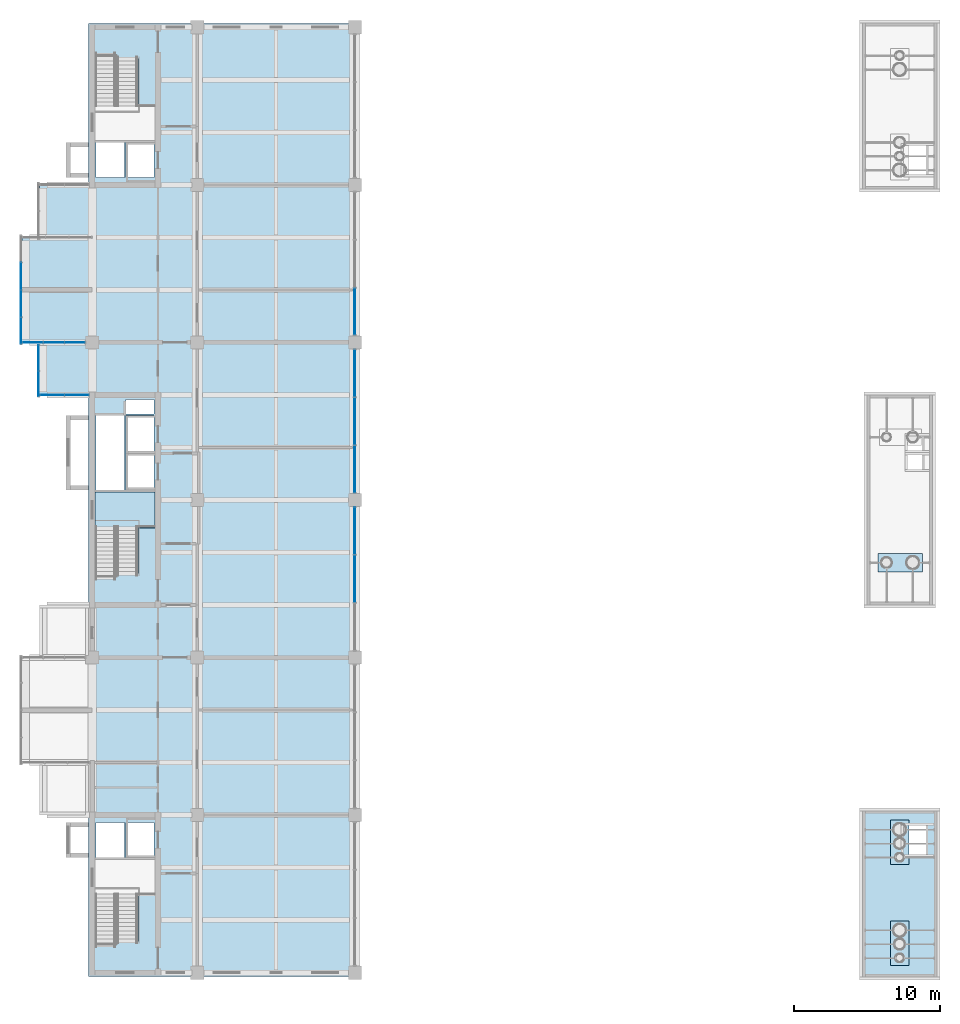
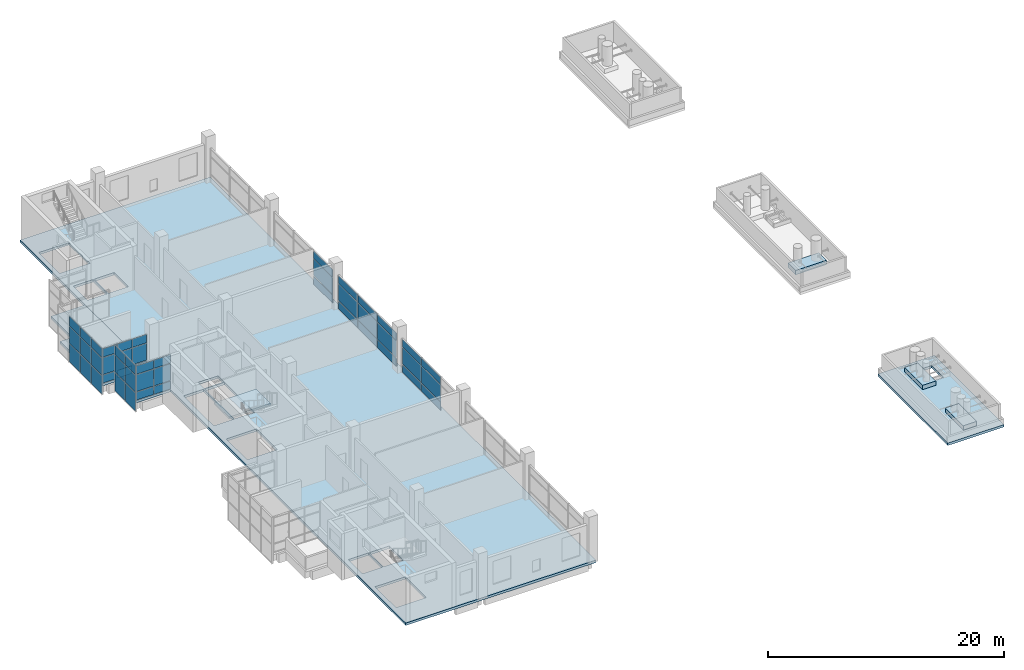
# One storey, part 12 of 22: 48 plates, 7 slabs, 8 elements without a shape of their own.
"""IFC4 building model written with IfcOpenShell, lengths in metres."""

import ifcopenshell
import ifcopenshell.guid

model = None  # the IFC model being written
_history = None  # IfcOwnerHistory: only IFC2X3 demands one
_inside = {}  # id of a spatial element -> (the spatial element, [elements in it])
_under = {}  # id of a project, library or spatial element -> (it, [spatial elements below it])
_declared = {}  # id of a project -> (the project, [libraries it declares])
_typed = {}  # id of a type object -> (the type object, [elements of that type])
_made_of = {}  # id of a material, layer set ... -> (it, [elements and type objects made of it])


def new_model(schema):
    """Start an empty IFC model of exactly this schema.

    Asked for "IFC4X3", IfcOpenShell would pick the latest addendum, in which some entities
    have other attributes; the version numbers below select the first issue.
    IFC2X3 requires an IfcOwnerHistory on every rooted entity: one is made here for all.
    """
    global model, _history
    if schema == "IFC4X3":
        model = ifcopenshell.file(schema_version=(4, 3, 0, 0))
    else:
        model = ifcopenshell.file(schema=schema)
    _inside.clear()
    _under.clear()
    _declared.clear()
    _typed.clear()
    _made_of.clear()
    _history = None
    if model.schema == "IFC2X3":
        org = make("IfcOrganization", Name="unknown")
        user = make(
            "IfcPersonAndOrganization",
            ThePerson=make("IfcPerson", FamilyName="unknown"),
            TheOrganization=org,
        )
        app = make(
            "IfcApplication",
            ApplicationDeveloper=org,
            Version="unknown",
            ApplicationFullName="unknown",
            ApplicationIdentifier="unknown",
        )
        _history = make(
            "IfcOwnerHistory",
            OwningUser=user,
            OwningApplication=app,
            ChangeAction="ADDED",
            CreationDate=0,
        )
    return model


def make(cls, **values):
    """One entity of the class cls with the attributes given. An attribute that is None is left unset."""
    return model.create_entity(
        cls, **{name: value for name, value in values.items() if value is not None}
    )


def rooted(cls, **values):
    """An entity with a GlobalId (a new one), such as an element, a storey or a relation."""
    return make(cls, GlobalId=ifcopenshell.guid.new(), OwnerHistory=_history, **values)


def si_unit(unit_type, name, prefix=None):
    """IfcSIUnit, for example si_unit("LENGTHUNIT", "METRE", prefix="MILLI")."""
    return make("IfcSIUnit", UnitType=unit_type, Prefix=prefix, Name=name)


def assignment(units):
    """IfcUnitAssignment: the units of a project."""
    return None if units is None else make("IfcUnitAssignment", Units=units)


def point(xyz):
    """IfcCartesianPoint."""
    return None if xyz is None else make("IfcCartesianPoint", Coordinates=xyz)


def direction(xyz):
    """IfcDirection."""
    return None if xyz is None else make("IfcDirection", DirectionRatios=xyz)


def frame(location, z_axis=None, x_axis=None):
    """IfcAxis2Placement3D, a coordinate frame: its origin and axes. An axis left out is left unset."""
    return make(
        "IfcAxis2Placement3D",
        Location=point(location),
        Axis=direction(z_axis),
        RefDirection=direction(x_axis),
    )


def frame_2d(location, x_axis=None):
    """IfcAxis2Placement2D, a coordinate frame in the plane: its origin and x axis."""
    return make(
        "IfcAxis2Placement2D", Location=point(location), RefDirection=direction(x_axis)
    )


def origin():
    """The frame at (0, 0, 0) with its axes left unset."""
    return frame((0.0, 0.0, 0.0))


def origin_2d():
    """The frame at (0, 0) in the plane with its x axis left unset."""
    return frame_2d((0.0, 0.0))


def place(relative_to, where):
    """IfcLocalPlacement: puts the frame where relative to a parent placement (None: the world)."""
    return make(
        "IfcLocalPlacement", PlacementRelTo=relative_to, RelativePlacement=where
    )


def context(
    kind, dimensions, precision=None, world=None, true_north=None, identifier=None
):
    """IfcGeometricRepresentationContext, for example the 3D "Model" context."""
    return make(
        "IfcGeometricRepresentationContext",
        ContextIdentifier=identifier,
        ContextType=kind,
        CoordinateSpaceDimension=dimensions,
        Precision=precision,
        WorldCoordinateSystem=world,
        TrueNorth=true_north,
    )


def subcontext(parent, identifier, kind, view, scale=None):
    """IfcGeometricRepresentationSubContext, for example "Body" below "Model"."""
    return make(
        "IfcGeometricRepresentationSubContext",
        ContextIdentifier=identifier,
        ContextType=kind,
        ParentContext=parent,
        TargetScale=scale,
        TargetView=view,
    )


def project(units=None, contexts=None):
    """IfcProject with its units and contexts."""
    return rooted(
        "IfcProject",
        Name="project",
        RepresentationContexts=contexts,
        UnitsInContext=assignment(units),
    )


def spatial(cls, under=None, at=None, **own):
    """A site, building, storey or space (cls), placed at a placement, below another one or the project."""
    s = rooted(cls, ObjectPlacement=at, **own)
    if under is not None:
        _under.setdefault(under.id(), (under, []))[1].append(s)
    return s


def polyline(points):
    """IfcPolyline through the points."""
    return make("IfcPolyline", Points=[point(p) for p in points])


def profile(cls, at=None, kind="AREA", **sizes):
    """A parametric profile (cls). Its sizes go by their IFC names, for example OverallWidth=200.0."""
    return make(cls, ProfileType=kind, Position=at, **sizes)


def rectangle(**sizes):
    """IfcRectangleProfileDef."""
    return profile("IfcRectangleProfileDef", **sizes)


def outline(outer, holes=None, kind="AREA"):
    """IfcArbitraryClosedProfileDef: a profile drawn as a closed curve; with holes, ...WithVoids."""
    if holes is None:
        return make("IfcArbitraryClosedProfileDef", ProfileType=kind, OuterCurve=outer)
    return make(
        "IfcArbitraryProfileDefWithVoids",
        ProfileType=kind,
        OuterCurve=outer,
        InnerCurves=holes,
    )


def extrude(swept, where, along, depth):
    """IfcExtrudedAreaSolid: the profile swept, set in the frame where, extruded along a direction by depth."""
    return make(
        "IfcExtrudedAreaSolid",
        SweptArea=swept,
        Position=where,
        ExtrudedDirection=direction(along),
        Depth=depth,
    )


def shape(context_of_items, identifier, shape_type, items):
    """IfcShapeRepresentation: the items that make up one representation, for example the "Body"."""
    return make(
        "IfcShapeRepresentation",
        ContextOfItems=context_of_items,
        RepresentationIdentifier=identifier,
        RepresentationType=shape_type,
        Items=items,
    )


def material(Name=None, Category=None):
    """IfcMaterial."""
    return make("IfcMaterial", Name=Name, Category=Category)


def layer(
    of_material, thickness, ventilated=None, Name=None, Category=None, Priority=None
):
    """IfcMaterialLayer: one layer of a wall or slab, of a material (None: an air gap)."""
    return make(
        "IfcMaterialLayer",
        Material=of_material,
        LayerThickness=thickness,
        IsVentilated=ventilated,
        Name=Name,
        Category=Category,
        Priority=Priority,
    )


def layer_set(layers, Name=None):
    """IfcMaterialLayerSet."""
    return make("IfcMaterialLayerSet", MaterialLayers=layers, LayerSetName=Name)


def made_of(thing, what):
    """Note that an element or type object is made of a material, layer set ...; save() writes the relation."""
    if what is not None:
        _made_of.setdefault(what.id(), (what, []))[1].append(thing)
    return thing


def type_object(cls, material=None, **own):
    """A type object (cls), such as IfcWallType, which elements share."""
    return made_of(rooted(cls, **own), material)


def element(
    cls,
    number,
    at=None,
    inside=None,
    cuts=None,
    type_object=None,
    material=None,
    context=None,
    identifier="Body",
    shape_type=None,
    held_by="IfcProductDefinitionShape",
    body=None,
    shapes=None,
    **own,
):
    """One element of the class cls, such as IfcWall. Its Tag is "e" and its number.

    at: its placement. inside: the storey or other place that contains it. cuts: it is an
    opening in that element (IfcRelVoidsElement). A single representation is given by context,
    identifier, shape_type and body (its items); several are given by shapes. held_by: the class
    of the entity that holds the representations. save() writes the other relations.
    """
    e = rooted(cls, Tag="e%d" % number, ObjectPlacement=at, **own)
    if body is not None:
        shapes = [shape(context, identifier, shape_type, body)]
    if shapes is not None:
        e.Representation = make(held_by, Representations=shapes)
    if inside is not None:
        _inside.setdefault(inside.id(), (inside, []))[1].append(e)
    if cuts is not None:
        rooted(
            "IfcRelVoidsElement", RelatingBuildingElement=cuts, RelatedOpeningElement=e
        )
    if type_object is not None:
        _typed.setdefault(type_object.id(), (type_object, []))[1].append(e)
    return made_of(e, material)


def aggregate(whole, parts):
    """IfcRelAggregates: a whole, such as a stair, and the parts it consists of."""
    return rooted("IfcRelAggregates", RelatingObject=whole, RelatedObjects=parts)


def save(model, path):
    """Write the relations noted so far, then the file.

    IfcRelAggregates (storeys below a building ...), IfcRelContainedInSpatialStructure (elements
    in a storey), IfcRelDefinesByType, IfcRelAssociatesMaterial and IfcRelDeclares: one each for
    every whole, place, type object, material and project.
    """
    for whole, parts in _under.values():
        aggregate(whole, parts)
    for where, things in _inside.values():
        rooted(
            "IfcRelContainedInSpatialStructure",
            RelatedElements=things,
            RelatingStructure=where,
        )
    for kind, things in _typed.values():
        rooted("IfcRelDefinesByType", RelatedObjects=things, RelatingType=kind)
    for what, things in _made_of.values():
        rooted("IfcRelAssociatesMaterial", RelatedObjects=things, RelatingMaterial=what)
    for by, libraries in _declared.values():
        rooted("IfcRelDeclares", RelatingContext=by, RelatedDefinitions=libraries)
    model.write(path)


model = new_model("IFC4")

# Units and contexts
model_context = context("Model", 3, precision=1e-05, world=origin(), true_north=direction((0.0, 1.0)))
body_context = subcontext(model_context, "Body", "Model", "MODEL_VIEW")
ifc_project = project(units=[si_unit("LENGTHUNIT", "METRE"), si_unit("AREAUNIT", "SQUARE_METRE"), si_unit("VOLUMEUNIT", "CUBIC_METRE"), si_unit("PLANEANGLEUNIT", "RADIAN"), si_unit("MASSUNIT", "GRAM", prefix="KILO")], contexts=[model_context])

# Site, building, storey
site_placement = place(None, origin())
site = spatial("IfcSite", under=ifc_project, at=site_placement, CompositionType="ELEMENT")
building_placement = place(site_placement, origin())
building = spatial("IfcBuilding", under=site, at=building_placement, Name="Basin Gate Institute", CompositionType="ELEMENT")
storey_placement = place(building_placement, frame((0.0, 0.0, 51.0)))
storey = spatial("IfcBuildingStorey", under=building, at=storey_placement, Name="L10", CompositionType="ELEMENT", Elevation=51.0)

# Slabs
ifc_material_1 = material(Name="Concrete 40 MPa", Category="concrete")
ifc_layer_1 = layer(ifc_material_1, 0.449951171875)
ifc_layer_set_1 = layer_set([ifc_layer_1], Name="Concrete 40 MPa")
slab_type_1 = type_object("IfcSlabType", Name="Exhaust pipe plinth PL4 R60", PredefinedType="ROOF", material=ifc_layer_set_1)
slab_1_placement = place(storey_placement, frame((0.0, 0.0, 0.25)))
element("IfcSlab", 1, at=slab_1_placement, inside=storey, type_object=slab_type_1, material=ifc_layer_set_1, Name="Exhaust pipe plinth PL4 ES 1", PredefinedType="ROOF", context=body_context, shape_type="SweptSolid", body=[
    extrude(outline(polyline([(115.89990234375, 35.60009765625), (117.199951171875, 35.60009765625), (117.199951171875, 38.64990234375), (115.89990234375, 38.64990234375), (115.89990234375, 35.60009765625)])), origin(), (0.0, 0.0, 1.0), 0.449951171875),
])
slab_2_placement = place(storey_placement, frame((0.0, 0.0, 0.25)))
element("IfcSlab", 2, at=slab_2_placement, inside=storey, type_object=slab_type_1, material=ifc_layer_set_1, Name="Exhaust pipe plinth PL4 ES 2", PredefinedType="ROOF", context=body_context, shape_type="SweptSolid", body=[
    extrude(outline(polyline([(115.89990234375, 42.5), (117.199951171875, 42.5), (117.199951171875, 45.550048828125), (115.89990234375, 45.550048828125), (115.89990234375, 42.5)])), origin(), (0.0, 0.0, 1.0), 0.449951171875),
])
slab_3_placement = place(storey_placement, frame((0.0, 0.0, 0.25)))
element("IfcSlab", 3, at=slab_3_placement, inside=storey, type_object=slab_type_1, material=ifc_layer_set_1, Name="Exhaust pipe plinth PL4 EM 1", PredefinedType="ROOF", context=body_context, shape_type="SweptSolid", body=[
    extrude(outline(polyline([(115.074951171875, 62.550048828125), (118.10009765625, 62.550048828125), (118.10009765625, 63.85009765625), (115.074951171875, 63.85009765625), (115.074951171875, 62.550048828125)])), origin(), (0.0, 0.0, 1.0), 0.449951171875),
])
ifc_material_2 = material(Name="Concrete 40 MPa", Category="concrete")
ifc_layer_2 = layer(ifc_material_2, 0.25)
ifc_layer_set_2 = layer_set([ifc_layer_2], Name="Concrete 40 MPa")
slab_type_2 = type_object("IfcSlabType", Name="Slab SL4 R120", PredefinedType="FLOOR", material=ifc_layer_set_2)
slab_4_placement = place(storey_placement, frame((0.0, 0.0, -0.25)))
element("IfcSlab", 4, at=slab_4_placement, inside=storey, type_object=slab_type_2, material=ifc_layer_set_2, Name="SLAB/L10/W", PredefinedType="FLOOR", context=body_context, shape_type="SweptSolid", body=[
    extrude(outline(polyline([(60.949951171875, 34.85009765625), (79.550048828125, 34.85009765625), (79.550048828125, 100.14990234375), (60.949951171875, 100.14990234375), (60.949951171875, 34.85009765625)]), holes=[polyline([(61.39990234375, 37.25), (64.35009765625, 37.25), (64.35009765625, 40.7900390625), (61.39990234375, 40.7900390625), (61.39990234375, 37.25)]), polyline([(61.39990234375, 62.449951171875), (64.35009765625, 62.449951171875), (64.35009765625, 65.989990234375), (61.39990234375, 65.989990234375), (61.39990234375, 62.449951171875)]), polyline([(61.39990234375, 94.2099609375), (64.35009765625, 94.2099609375), (64.35009765625, 97.75), (61.39990234375, 97.75), (61.39990234375, 94.2099609375)]), polyline([(61.449951171875, 43.0), (63.39990234375, 43.0), (63.39990234375, 45.39990234375), (61.449951171875, 45.39990234375), (61.449951171875, 43.0)]), polyline([(61.449951171875, 68.199951171875), (63.39990234375, 68.199951171875), (63.39990234375, 73.300048828125), (61.449951171875, 73.300048828125), (61.449951171875, 68.199951171875)]), polyline([(63.5, 73.39990234375), (65.449951171875, 73.39990234375), (65.449951171875, 74.39990234375), (63.5, 74.39990234375), (63.5, 73.39990234375)]), polyline([(61.449951171875, 89.60009765625), (63.39990234375, 89.60009765625), (63.39990234375, 92.0), (61.449951171875, 92.0), (61.449951171875, 89.60009765625)]), polyline([(63.5, 43.0), (65.449951171875, 43.0), (65.449951171875, 45.39990234375), (63.5, 45.39990234375), (63.5, 43.0)]), polyline([(65.449951171875, 68.199951171875), (63.5, 68.199951171875), (63.5, 73.300048828125), (65.449951171875, 73.300048828125), (65.449951171875, 68.199951171875)]), polyline([(63.5, 89.60009765625), (65.449951171875, 89.60009765625), (65.449951171875, 92.0), (63.5, 92.0), (63.5, 89.60009765625)])]), origin(), (0.0, 0.0, 1.0), 0.25),
])
slab_5_placement = place(storey_placement, frame((0.0, 0.0, -0.25)))
element("IfcSlab", 5, at=slab_5_placement, inside=storey, type_object=slab_type_2, material=ifc_layer_set_2, Name="SLAB/L10/WK21", PredefinedType="FLOOR", context=body_context, shape_type="SweptSolid", body=[
    extrude(outline(polyline([(57.60009765625, 74.699951171875), (57.60009765625, 78.300048828125), (56.39990234375, 78.300048828125), (56.39990234375, 85.5), (57.60009765625, 85.5), (57.60009765625, 89.10009765625), (60.949951171875, 89.10009765625), (60.949951171875, 74.699951171875), (57.60009765625, 74.699951171875)])), origin(), (0.0, 0.0, 1.0), 0.25),
])

# Curtain wall, plates
ifc_material_3 = material(Name="Aluminium-framed glazing", Category="aluminium")
ifc_layer_3 = layer(ifc_material_3, 0.199951171875)
ifc_layer_set_3 = layer_set([ifc_layer_3], Name="Atrium curtain wall CW2")
curtain_wall_type_1 = type_object("IfcCurtainWallType", Name="Atrium curtain wall CW2", PredefinedType="NOTDEFINED", material=ifc_layer_set_3)
curtain_wall_1_placement = place(storey_placement, origin())
curtain_wall_1 = element("IfcCurtainWall", 6, at=curtain_wall_1_placement, inside=storey, type_object=curtain_wall_type_1, material=ifc_layer_set_3, Name="Atrium curtain wall W wing atrium bay 3 L10", PredefinedType="NOTDEFINED")
ifc_material_4 = material(Name="Aluminium insulated spandrel panel", Category="aluminium")
ifc_layer_4 = layer(ifc_material_4, 0.050048828125)
ifc_layer_set_4 = layer_set([ifc_layer_4], Name="Spandrel panel PN2")
plate_type_1 = type_object("IfcPlateType", Name="Spandrel panel PN2", PredefinedType="CURTAIN_PANEL", material=ifc_layer_set_4)
plate_1_placement = place(storey_placement, frame((79.199951171875, 62.10009765625, 0.06005859375), z_axis=(0.0, 0.0, 1.0), x_axis=(0.0, 1.0, 0.0)))
plate_1 = element("IfcPlate", 7, at=plate_1_placement, type_object=plate_type_1, material=ifc_layer_set_4, Name="CW2 spandrel panel 2.1", PredefinedType="CURTAIN_PANEL", context=body_context, shape_type="SweptSolid", body=[
    extrude(rectangle(XDim=3.239990234375, YDim=0.050048828125, at=origin_2d()), origin(), (0.0, 0.0, 1.0), 0.81005859375),
])
plate_2_placement = place(storey_placement, frame((79.199951171875, 62.10009765625, 2.72998046875), z_axis=(0.0, 0.0, 1.0), x_axis=(0.0, 1.0, 0.0)))
plate_2 = element("IfcPlate", 8, at=plate_2_placement, type_object=plate_type_1, material=ifc_layer_set_4, Name="CW2 spandrel panel 2.3", PredefinedType="CURTAIN_PANEL", context=body_context, shape_type="SweptSolid", body=[
    extrude(rectangle(XDim=3.239990234375, YDim=0.050048828125, at=origin_2d()), origin(), (0.0, 0.0, 1.0), 0.760009765625),
])
plate_3_placement = place(storey_placement, frame((79.199951171875, 65.385009765625, 0.06005859375), z_axis=(0.0, 0.0, 1.0), x_axis=(0.0, 1.0, 0.0)))
plate_3 = element("IfcPlate", 9, at=plate_3_placement, type_object=plate_type_1, material=ifc_layer_set_4, Name="CW2 spandrel panel 3.1", PredefinedType="CURTAIN_PANEL", context=body_context, shape_type="SweptSolid", body=[
    extrude(rectangle(XDim=3.2099609375, YDim=0.050048828125, at=origin_2d()), origin(), (0.0, 0.0, 1.0), 0.81005859375),
])
plate_4_placement = place(storey_placement, frame((79.199951171875, 65.385009765625, 2.72998046875), z_axis=(0.0, 0.0, 1.0), x_axis=(0.0, 1.0, 0.0)))
plate_4 = element("IfcPlate", 10, at=plate_4_placement, type_object=plate_type_1, material=ifc_layer_set_4, Name="CW2 spandrel panel 3.3", PredefinedType="CURTAIN_PANEL", context=body_context, shape_type="SweptSolid", body=[
    extrude(rectangle(XDim=3.2099609375, YDim=0.050048828125, at=origin_2d()), origin(), (0.0, 0.0, 1.0), 0.760009765625),
])

curtain_wall_2_placement = place(storey_placement, origin())
curtain_wall_2 = element("IfcCurtainWall", 11, at=curtain_wall_2_placement, inside=storey, type_object=curtain_wall_type_1, material=ifc_layer_set_3, Name="Atrium curtain wall W wing atrium bay 4 L10", PredefinedType="NOTDEFINED")
plate_5_placement = place(storey_placement, frame((79.199951171875, 69.614990234375, 0.06005859375), z_axis=(0.0, 0.0, 1.0), x_axis=(0.0, 1.0, 0.0)))
plate_5 = element("IfcPlate", 12, at=plate_5_placement, type_object=plate_type_1, material=ifc_layer_set_4, Name="CW2 spandrel panel 1.1", PredefinedType="CURTAIN_PANEL", context=body_context, shape_type="SweptSolid", body=[
    extrude(rectangle(XDim=3.2099609375, YDim=0.050048828125, at=origin_2d()), origin(), (0.0, 0.0, 1.0), 0.81005859375),
])
plate_6_placement = place(storey_placement, frame((79.199951171875, 69.614990234375, 2.72998046875), z_axis=(0.0, 0.0, 1.0), x_axis=(0.0, 1.0, 0.0)))
plate_6 = element("IfcPlate", 13, at=plate_6_placement, type_object=plate_type_1, material=ifc_layer_set_4, Name="CW2 spandrel panel 1.3", PredefinedType="CURTAIN_PANEL", context=body_context, shape_type="SweptSolid", body=[
    extrude(rectangle(XDim=3.2099609375, YDim=0.050048828125, at=origin_2d()), origin(), (0.0, 0.0, 1.0), 0.760009765625),
])
plate_7_placement = place(storey_placement, frame((79.199951171875, 72.89990234375, 0.06005859375), z_axis=(0.0, 0.0, 1.0), x_axis=(0.0, 1.0, 0.0)))
plate_7 = element("IfcPlate", 14, at=plate_7_placement, type_object=plate_type_1, material=ifc_layer_set_4, Name="CW2 spandrel panel 2.1", PredefinedType="CURTAIN_PANEL", context=body_context, shape_type="SweptSolid", body=[
    extrude(rectangle(XDim=3.239990234375, YDim=0.050048828125, at=origin_2d()), origin(), (0.0, 0.0, 1.0), 0.81005859375),
])
plate_8_placement = place(storey_placement, frame((79.199951171875, 72.89990234375, 2.72998046875), z_axis=(0.0, 0.0, 1.0), x_axis=(0.0, 1.0, 0.0)))
plate_8 = element("IfcPlate", 15, at=plate_8_placement, type_object=plate_type_1, material=ifc_layer_set_4, Name="CW2 spandrel panel 2.3", PredefinedType="CURTAIN_PANEL", context=body_context, shape_type="SweptSolid", body=[
    extrude(rectangle(XDim=3.239990234375, YDim=0.050048828125, at=origin_2d()), origin(), (0.0, 0.0, 1.0), 0.760009765625),
])
plate_9_placement = place(storey_placement, frame((79.199951171875, 76.18505859375, 0.06005859375), z_axis=(0.0, 0.0, 1.0), x_axis=(0.0, 1.0, 0.0)))
plate_9 = element("IfcPlate", 16, at=plate_9_placement, type_object=plate_type_1, material=ifc_layer_set_4, Name="CW2 spandrel panel 3.1", PredefinedType="CURTAIN_PANEL", context=body_context, shape_type="SweptSolid", body=[
    extrude(rectangle(XDim=3.2099609375, YDim=0.050048828125, at=origin_2d()), origin(), (0.0, 0.0, 1.0), 0.81005859375),
])
plate_10_placement = place(storey_placement, frame((79.199951171875, 76.18505859375, 2.72998046875), z_axis=(0.0, 0.0, 1.0), x_axis=(0.0, 1.0, 0.0)))
plate_10 = element("IfcPlate", 17, at=plate_10_placement, type_object=plate_type_1, material=ifc_layer_set_4, Name="CW2 spandrel panel 3.3", PredefinedType="CURTAIN_PANEL", context=body_context, shape_type="SweptSolid", body=[
    extrude(rectangle(XDim=3.2099609375, YDim=0.050048828125, at=origin_2d()), origin(), (0.0, 0.0, 1.0), 0.760009765625),
])

curtain_wall_3_placement = place(storey_placement, origin())
curtain_wall_3 = element("IfcCurtainWall", 18, at=curtain_wall_3_placement, inside=storey, type_object=curtain_wall_type_1, material=ifc_layer_set_3, Name="Atrium curtain wall W wing atrium bay 5 L10", PredefinedType="NOTDEFINED")
plate_11_placement = place(storey_placement, frame((79.199951171875, 80.4150390625, 0.06005859375), z_axis=(0.0, 0.0, 1.0), x_axis=(0.0, 1.0, 0.0)))
plate_11 = element("IfcPlate", 19, at=plate_11_placement, type_object=plate_type_1, material=ifc_layer_set_4, Name="CW2 spandrel panel 1.1", PredefinedType="CURTAIN_PANEL", context=body_context, shape_type="SweptSolid", body=[
    extrude(rectangle(XDim=3.2099609375, YDim=0.050048828125, at=origin_2d()), origin(), (0.0, 0.0, 1.0), 0.81005859375),
])
plate_12_placement = place(storey_placement, frame((79.199951171875, 80.4150390625, 2.72998046875), z_axis=(0.0, 0.0, 1.0), x_axis=(0.0, 1.0, 0.0)))
plate_12 = element("IfcPlate", 20, at=plate_12_placement, type_object=plate_type_1, material=ifc_layer_set_4, Name="CW2 spandrel panel 1.3", PredefinedType="CURTAIN_PANEL", context=body_context, shape_type="SweptSolid", body=[
    extrude(rectangle(XDim=3.2099609375, YDim=0.050048828125, at=origin_2d()), origin(), (0.0, 0.0, 1.0), 0.760009765625),
])

ifc_material_5 = material(Name="Aluminium-framed glazing", Category="aluminium")
ifc_layer_5 = layer(ifc_material_5, 0.14990234375)
ifc_layer_set_5 = layer_set([ifc_layer_5], Name="Capsule front curtain wall CW1")
curtain_wall_type_2 = type_object("IfcCurtainWallType", Name="Capsule front curtain wall CW1", PredefinedType="NOTDEFINED", material=ifc_layer_set_5)
curtain_wall_4_placement = place(storey_placement, origin())
curtain_wall_4 = element("IfcCurtainWall", 21, at=curtain_wall_4_placement, inside=storey, type_object=curtain_wall_type_2, material=ifc_layer_set_5, Name="Capsule front curtain wall W wing capsule end L10 line 12", PredefinedType="NOTDEFINED")
plate_13_placement = place(storey_placement, frame((58.46240234375, 74.699951171875, 0.06005859375), z_axis=(0.0, 0.0, 1.0), x_axis=(1.0, 0.0, 0.0)))
plate_13 = element("IfcPlate", 22, at=plate_13_placement, type_object=plate_type_1, material=ifc_layer_set_4, Name="CW1 spandrel panel 1.1", PredefinedType="CURTAIN_PANEL", context=body_context, shape_type="SweptSolid", body=[
    extrude(rectangle(XDim=1.625, YDim=0.050048828125, at=origin_2d()), origin(), (0.0, 0.0, 1.0), 0.81005859375),
])
plate_14_placement = place(storey_placement, frame((60.137451171875, 74.699951171875, 0.06005859375), z_axis=(0.0, 0.0, 1.0), x_axis=(1.0, 0.0, 0.0)))
plate_14 = element("IfcPlate", 23, at=plate_14_placement, type_object=plate_type_1, material=ifc_layer_set_4, Name="CW1 spandrel panel 2.1", PredefinedType="CURTAIN_PANEL", context=body_context, shape_type="SweptSolid", body=[
    extrude(rectangle(XDim=1.625, YDim=0.050048828125, at=origin_2d()), origin(), (0.0, 0.0, 1.0), 0.81005859375),
])

curtain_wall_5_placement = place(storey_placement, origin())
curtain_wall_5 = element("IfcCurtainWall", 24, at=curtain_wall_5_placement, inside=storey, type_object=curtain_wall_type_2, material=ifc_layer_set_5, Name="Capsule front curtain wall W wing capsule end L10 line 13", PredefinedType="NOTDEFINED")
plate_15_placement = place(storey_placement, frame((57.137451171875, 78.300048828125, 0.06005859375), z_axis=(0.0, 0.0, 1.0), x_axis=(1.0, 0.0, 0.0)))
plate_15 = element("IfcPlate", 25, at=plate_15_placement, type_object=plate_type_1, material=ifc_layer_set_4, Name="CW1 spandrel panel 1.1", PredefinedType="CURTAIN_PANEL", context=body_context, shape_type="SweptSolid", body=[
    extrude(rectangle(XDim=1.375, YDim=0.050048828125, at=origin_2d()), origin(), (0.0, 0.0, 1.0), 0.81005859375),
])
plate_16_placement = place(storey_placement, frame((58.574951171875, 78.300048828125, 0.06005859375), z_axis=(0.0, 0.0, 1.0), x_axis=(1.0, 0.0, 0.0)))
plate_16 = element("IfcPlate", 26, at=plate_16_placement, type_object=plate_type_1, material=ifc_layer_set_4, Name="CW1 spandrel panel 2.1", PredefinedType="CURTAIN_PANEL", context=body_context, shape_type="SweptSolid", body=[
    extrude(rectangle(XDim=1.39990234375, YDim=0.050048828125, at=origin_2d()), origin(), (0.0, 0.0, 1.0), 0.81005859375),
])
plate_17_placement = place(storey_placement, frame((60.012451171875, 78.300048828125, 0.06005859375), z_axis=(0.0, 0.0, 1.0), x_axis=(1.0, 0.0, 0.0)))
plate_17 = element("IfcPlate", 27, at=plate_17_placement, type_object=plate_type_1, material=ifc_layer_set_4, Name="CW1 spandrel panel 3.1", PredefinedType="CURTAIN_PANEL", context=body_context, shape_type="SweptSolid", body=[
    extrude(rectangle(XDim=1.375, YDim=0.050048828125, at=origin_2d()), origin(), (0.0, 0.0, 1.0), 0.81005859375),
])

curtain_wall_6_placement = place(storey_placement, origin())
curtain_wall_6 = element("IfcCurtainWall", 28, at=curtain_wall_6_placement, inside=storey, type_object=curtain_wall_type_2, material=ifc_layer_set_5, Name="Capsule front curtain wall W wing capsule 2 L10 front 1", PredefinedType="NOTDEFINED")
plate_18_placement = place(storey_placement, frame((57.52490234375, 75.46240234375, -0.990234375), z_axis=(0.0, 0.0, 1.0), x_axis=(0.0, 1.0, 0.0)))
plate_18 = element("IfcPlate", 29, at=plate_18_placement, type_object=plate_type_1, material=ifc_layer_set_4, Name="CW1 spandrel panel 1.1", PredefinedType="CURTAIN_PANEL", context=body_context, shape_type="SweptSolid", body=[
    extrude(rectangle(XDim=1.72509765625, YDim=0.050048828125, at=origin_2d()), origin(), (0.0, 0.0, 1.0), 1.860107421875),
])
plate_19_placement = place(storey_placement, frame((57.52490234375, 77.237548828125, -0.990234375), z_axis=(0.0, 0.0, 1.0), x_axis=(0.0, 1.0, 0.0)))
plate_19 = element("IfcPlate", 30, at=plate_19_placement, type_object=plate_type_1, material=ifc_layer_set_4, Name="CW1 spandrel panel 2.1", PredefinedType="CURTAIN_PANEL", context=body_context, shape_type="SweptSolid", body=[
    extrude(rectangle(XDim=1.72509765625, YDim=0.050048828125, at=origin_2d()), origin(), (0.0, 0.0, 1.0), 1.860107421875),
])

curtain_wall_7_placement = place(storey_placement, origin())
curtain_wall_7 = element("IfcCurtainWall", 31, at=curtain_wall_7_placement, inside=storey, type_object=curtain_wall_type_2, material=ifc_layer_set_5, Name="Capsule front curtain wall W wing capsule 2 L10 front 2", PredefinedType="NOTDEFINED")
plate_20_placement = place(storey_placement, frame((56.324951171875, 79.10009765625, -0.990234375), z_axis=(0.0, 0.0, 1.0), x_axis=(0.0, 1.0, 0.0)))
plate_20 = element("IfcPlate", 32, at=plate_20_placement, type_object=plate_type_1, material=ifc_layer_set_4, Name="CW1 spandrel panel 1.1", PredefinedType="CURTAIN_PANEL", context=body_context, shape_type="SweptSolid", body=[
    extrude(rectangle(XDim=1.800048828125, YDim=0.050048828125, at=origin_2d()), origin(), (0.0, 0.0, 1.0), 1.860107421875),
])
plate_21_placement = place(storey_placement, frame((56.324951171875, 80.96240234375, -0.990234375), z_axis=(0.0, 0.0, 1.0), x_axis=(0.0, 1.0, 0.0)))
plate_21 = element("IfcPlate", 33, at=plate_21_placement, type_object=plate_type_1, material=ifc_layer_set_4, Name="CW1 spandrel panel 2.1", PredefinedType="CURTAIN_PANEL", context=body_context, shape_type="SweptSolid", body=[
    extrude(rectangle(XDim=1.824951171875, YDim=0.050048828125, at=origin_2d()), origin(), (0.0, 0.0, 1.0), 1.860107421875),
])
plate_22_placement = place(storey_placement, frame((56.324951171875, 82.83740234375, -0.990234375), z_axis=(0.0, 0.0, 1.0), x_axis=(0.0, 1.0, 0.0)))
plate_22 = element("IfcPlate", 34, at=plate_22_placement, type_object=plate_type_1, material=ifc_layer_set_4, Name="CW1 spandrel panel 3.1", PredefinedType="CURTAIN_PANEL", context=body_context, shape_type="SweptSolid", body=[
    extrude(rectangle(XDim=1.824951171875, YDim=0.050048828125, at=origin_2d()), origin(), (0.0, 0.0, 1.0), 1.860107421875),
])

# Slab
ifc_material_6 = material(Name="Concrete 40 MPa", Category="concrete")
ifc_layer_6 = layer(ifc_material_6, 0.25)
ifc_layer_set_6 = layer_set([ifc_layer_6], Name="Concrete 40 MPa")
slab_type_3 = type_object("IfcSlabType", Name="Stack cap slab RS6 R60", PredefinedType="ROOF", material=ifc_layer_set_6)
slab_6_placement = place(storey_placement, origin())
element("IfcSlab", 35, at=slab_6_placement, inside=storey, type_object=slab_type_3, material=ifc_layer_set_6, Name="Stack cap slab RS6 ES", PredefinedType="ROOF", context=body_context, shape_type="SweptSolid", body=[
    extrude(outline(polyline([(119.300048828125, 34.60009765625), (113.800048828125, 34.60009765625), (113.800048828125, 46.39990234375), (119.300048828125, 46.39990234375), (119.300048828125, 34.60009765625)]), holes=[polyline([(116.800048828125, 43.199951171875), (118.35009765625, 43.199951171875), (118.35009765625, 45.199951171875), (116.800048828125, 45.199951171875), (116.800048828125, 43.199951171875)])]), origin(), (0.0, 0.0, 1.0), 0.25),
])

# Stair, slab
ifc_material_7 = material(Name="Concrete 40 MPa", Category="concrete")
stair_type = type_object("IfcStairType", Name="Stair ST", PredefinedType="HALF_TURN_STAIR", material=ifc_material_7)
stair_placement = place(storey_placement, origin())
stair = element("IfcStair", 36, at=stair_placement, inside=storey, type_object=stair_type, material=ifc_material_7, Name="Special safe stair ST-WM L10", PredefinedType="HALF_TURN_STAIR")
ifc_material_8 = material(Name="Concrete 40 MPa", Category="concrete")
ifc_layer_7 = layer(ifc_material_8, 0.199951171875)
ifc_layer_set_7 = layer_set([ifc_layer_7], Name="Concrete 40 MPa")
slab_type_4 = type_object("IfcSlabType", Name="Stair landing LN REI 120", PredefinedType="LANDING", material=ifc_layer_set_7)
slab_7_placement = place(storey_placement, frame((0.0, 0.0, 2.288818359375)))
slab_7 = element("IfcSlab", 37, at=slab_7_placement, type_object=slab_type_4, material=ifc_layer_set_7, Name="Stair landing ST-WM-L1 L10", PredefinedType="LANDING", context=body_context, shape_type="SweptSolid", body=[
    extrude(outline(polyline([(61.39990234375, 65.570068359375), (65.5, 65.570068359375), (65.5, 68.050048828125), (61.39990234375, 68.050048828125), (61.39990234375, 65.570068359375)])), origin(), (0.0, 0.0, 1.0), 0.199951171875),
])
aggregate(stair, [slab_7])

# Plate
ifc_material_9 = material(Name="Double glazed unit")
ifc_layer_8 = layer(ifc_material_9, 0.028076171875)
ifc_layer_set_8 = layer_set([ifc_layer_8], Name="Vision panel PN1")
plate_type_2 = type_object("IfcPlateType", Name="Vision panel PN1", PredefinedType="CURTAIN_PANEL", material=ifc_layer_set_8)
plate_23_placement = place(storey_placement, frame((79.199951171875, 62.10009765625, 0.93017578125), z_axis=(0.0, 0.0, 1.0), x_axis=(0.0, 1.0, 0.0)))
plate_23 = element("IfcPlate", 38, at=plate_23_placement, type_object=plate_type_2, material=ifc_layer_set_8, Name="CW2 vision panel 2.2", PredefinedType="CURTAIN_PANEL", context=body_context, shape_type="SweptSolid", body=[
    extrude(rectangle(XDim=3.239990234375, YDim=0.028076171875, at=origin_2d()), origin(), (0.0, 0.0, 1.0), 1.739990234375),
])

plate_24_placement = place(storey_placement, frame((79.199951171875, 65.385009765625, 0.93017578125), z_axis=(0.0, 0.0, 1.0), x_axis=(0.0, 1.0, 0.0)))
plate_24 = element("IfcPlate", 39, at=plate_24_placement, type_object=plate_type_2, material=ifc_layer_set_8, Name="CW2 vision panel 3.2", PredefinedType="CURTAIN_PANEL", context=body_context, shape_type="SweptSolid", body=[
    extrude(rectangle(XDim=3.2099609375, YDim=0.028076171875, at=origin_2d()), origin(), (0.0, 0.0, 1.0), 1.739990234375),
])

aggregate(curtain_wall_1, [plate_1, plate_23, plate_2, plate_3, plate_24, plate_4])

plate_25_placement = place(storey_placement, frame((79.199951171875, 69.614990234375, 0.93017578125), z_axis=(0.0, 0.0, 1.0), x_axis=(0.0, 1.0, 0.0)))
plate_25 = element("IfcPlate", 40, at=plate_25_placement, type_object=plate_type_2, material=ifc_layer_set_8, Name="CW2 vision panel 1.2", PredefinedType="CURTAIN_PANEL", context=body_context, shape_type="SweptSolid", body=[
    extrude(rectangle(XDim=3.2099609375, YDim=0.028076171875, at=origin_2d()), origin(), (0.0, 0.0, 1.0), 1.739990234375),
])

plate_26_placement = place(storey_placement, frame((79.199951171875, 72.89990234375, 0.93017578125), z_axis=(0.0, 0.0, 1.0), x_axis=(0.0, 1.0, 0.0)))
plate_26 = element("IfcPlate", 41, at=plate_26_placement, type_object=plate_type_2, material=ifc_layer_set_8, Name="CW2 vision panel 2.2", PredefinedType="CURTAIN_PANEL", context=body_context, shape_type="SweptSolid", body=[
    extrude(rectangle(XDim=3.239990234375, YDim=0.028076171875, at=origin_2d()), origin(), (0.0, 0.0, 1.0), 1.739990234375),
])

plate_27_placement = place(storey_placement, frame((79.199951171875, 76.18505859375, 0.93017578125), z_axis=(0.0, 0.0, 1.0), x_axis=(0.0, 1.0, 0.0)))
plate_27 = element("IfcPlate", 42, at=plate_27_placement, type_object=plate_type_2, material=ifc_layer_set_8, Name="CW2 vision panel 3.2", PredefinedType="CURTAIN_PANEL", context=body_context, shape_type="SweptSolid", body=[
    extrude(rectangle(XDim=3.2099609375, YDim=0.028076171875, at=origin_2d()), origin(), (0.0, 0.0, 1.0), 1.739990234375),
])

aggregate(curtain_wall_2, [plate_5, plate_25, plate_6, plate_7, plate_26, plate_8, plate_9, plate_27, plate_10])

plate_28_placement = place(storey_placement, frame((79.199951171875, 80.4150390625, 0.93017578125), z_axis=(0.0, 0.0, 1.0), x_axis=(0.0, 1.0, 0.0)))
plate_28 = element("IfcPlate", 43, at=plate_28_placement, type_object=plate_type_2, material=ifc_layer_set_8, Name="CW2 vision panel 1.2", PredefinedType="CURTAIN_PANEL", context=body_context, shape_type="SweptSolid", body=[
    extrude(rectangle(XDim=3.2099609375, YDim=0.028076171875, at=origin_2d()), origin(), (0.0, 0.0, 1.0), 1.739990234375),
])

aggregate(curtain_wall_3, [plate_11, plate_28, plate_12])

plate_29_placement = place(storey_placement, frame((58.46240234375, 74.699951171875, 0.93017578125), z_axis=(0.0, 0.0, 1.0), x_axis=(1.0, 0.0, 0.0)))
plate_29 = element("IfcPlate", 44, at=plate_29_placement, type_object=plate_type_2, material=ifc_layer_set_8, Name="CW1 vision panel 1.2", PredefinedType="CURTAIN_PANEL", context=body_context, shape_type="SweptSolid", body=[
    extrude(rectangle(XDim=1.625, YDim=0.028076171875, at=origin_2d()), origin(), (0.0, 0.0, 1.0), 1.739990234375),
])

plate_30_placement = place(storey_placement, frame((58.46240234375, 74.699951171875, 2.72998046875), z_axis=(0.0, 0.0, 1.0), x_axis=(1.0, 0.0, 0.0)))
plate_30 = element("IfcPlate", 45, at=plate_30_placement, type_object=plate_type_2, material=ifc_layer_set_8, Name="CW1 vision panel 1.3", PredefinedType="CURTAIN_PANEL", context=body_context, shape_type="SweptSolid", body=[
    extrude(rectangle(XDim=1.625, YDim=0.028076171875, at=origin_2d()), origin(), (0.0, 0.0, 1.0), 0.860107421875),
])

plate_31_placement = place(storey_placement, frame((60.137451171875, 74.699951171875, 0.93017578125), z_axis=(0.0, 0.0, 1.0), x_axis=(1.0, 0.0, 0.0)))
plate_31 = element("IfcPlate", 46, at=plate_31_placement, type_object=plate_type_2, material=ifc_layer_set_8, Name="CW1 vision panel 2.2", PredefinedType="CURTAIN_PANEL", context=body_context, shape_type="SweptSolid", body=[
    extrude(rectangle(XDim=1.625, YDim=0.028076171875, at=origin_2d()), origin(), (0.0, 0.0, 1.0), 1.739990234375),
])

plate_32_placement = place(storey_placement, frame((60.137451171875, 74.699951171875, 2.72998046875), z_axis=(0.0, 0.0, 1.0), x_axis=(1.0, 0.0, 0.0)))
plate_32 = element("IfcPlate", 47, at=plate_32_placement, type_object=plate_type_2, material=ifc_layer_set_8, Name="CW1 vision panel 2.3", PredefinedType="CURTAIN_PANEL", context=body_context, shape_type="SweptSolid", body=[
    extrude(rectangle(XDim=1.625, YDim=0.028076171875, at=origin_2d()), origin(), (0.0, 0.0, 1.0), 0.860107421875),
])

aggregate(curtain_wall_4, [plate_13, plate_29, plate_30, plate_14, plate_31, plate_32])

plate_33_placement = place(storey_placement, frame((57.137451171875, 78.300048828125, 0.93017578125), z_axis=(0.0, 0.0, 1.0), x_axis=(1.0, 0.0, 0.0)))
plate_33 = element("IfcPlate", 48, at=plate_33_placement, type_object=plate_type_2, material=ifc_layer_set_8, Name="CW1 vision panel 1.2", PredefinedType="CURTAIN_PANEL", context=body_context, shape_type="SweptSolid", body=[
    extrude(rectangle(XDim=1.375, YDim=0.028076171875, at=origin_2d()), origin(), (0.0, 0.0, 1.0), 1.739990234375),
])

plate_34_placement = place(storey_placement, frame((57.137451171875, 78.300048828125, 2.72998046875), z_axis=(0.0, 0.0, 1.0), x_axis=(1.0, 0.0, 0.0)))
plate_34 = element("IfcPlate", 49, at=plate_34_placement, type_object=plate_type_2, material=ifc_layer_set_8, Name="CW1 vision panel 1.3", PredefinedType="CURTAIN_PANEL", context=body_context, shape_type="SweptSolid", body=[
    extrude(rectangle(XDim=1.375, YDim=0.028076171875, at=origin_2d()), origin(), (0.0, 0.0, 1.0), 0.860107421875),
])

plate_35_placement = place(storey_placement, frame((58.574951171875, 78.300048828125, 0.93017578125), z_axis=(0.0, 0.0, 1.0), x_axis=(1.0, 0.0, 0.0)))
plate_35 = element("IfcPlate", 50, at=plate_35_placement, type_object=plate_type_2, material=ifc_layer_set_8, Name="CW1 vision panel 2.2", PredefinedType="CURTAIN_PANEL", context=body_context, shape_type="SweptSolid", body=[
    extrude(rectangle(XDim=1.39990234375, YDim=0.028076171875, at=origin_2d()), origin(), (0.0, 0.0, 1.0), 1.739990234375),
])

plate_36_placement = place(storey_placement, frame((58.574951171875, 78.300048828125, 2.72998046875), z_axis=(0.0, 0.0, 1.0), x_axis=(1.0, 0.0, 0.0)))
plate_36 = element("IfcPlate", 51, at=plate_36_placement, type_object=plate_type_2, material=ifc_layer_set_8, Name="CW1 vision panel 2.3", PredefinedType="CURTAIN_PANEL", context=body_context, shape_type="SweptSolid", body=[
    extrude(rectangle(XDim=1.39990234375, YDim=0.028076171875, at=origin_2d()), origin(), (0.0, 0.0, 1.0), 0.860107421875),
])

plate_37_placement = place(storey_placement, frame((60.012451171875, 78.300048828125, 0.93017578125), z_axis=(0.0, 0.0, 1.0), x_axis=(1.0, 0.0, 0.0)))
plate_37 = element("IfcPlate", 52, at=plate_37_placement, type_object=plate_type_2, material=ifc_layer_set_8, Name="CW1 vision panel 3.2", PredefinedType="CURTAIN_PANEL", context=body_context, shape_type="SweptSolid", body=[
    extrude(rectangle(XDim=1.375, YDim=0.028076171875, at=origin_2d()), origin(), (0.0, 0.0, 1.0), 1.739990234375),
])

plate_38_placement = place(storey_placement, frame((60.012451171875, 78.300048828125, 2.72998046875), z_axis=(0.0, 0.0, 1.0), x_axis=(1.0, 0.0, 0.0)))
plate_38 = element("IfcPlate", 53, at=plate_38_placement, type_object=plate_type_2, material=ifc_layer_set_8, Name="CW1 vision panel 3.3", PredefinedType="CURTAIN_PANEL", context=body_context, shape_type="SweptSolid", body=[
    extrude(rectangle(XDim=1.375, YDim=0.028076171875, at=origin_2d()), origin(), (0.0, 0.0, 1.0), 0.860107421875),
])

aggregate(curtain_wall_5, [plate_15, plate_33, plate_34, plate_16, plate_35, plate_36, plate_17, plate_37, plate_38])

plate_39_placement = place(storey_placement, frame((57.52490234375, 75.46240234375, 0.93017578125), z_axis=(0.0, 0.0, 1.0), x_axis=(0.0, 1.0, 0.0)))
plate_39 = element("IfcPlate", 54, at=plate_39_placement, type_object=plate_type_2, material=ifc_layer_set_8, Name="CW1 vision panel 1.2", PredefinedType="CURTAIN_PANEL", context=body_context, shape_type="SweptSolid", body=[
    extrude(rectangle(XDim=1.72509765625, YDim=0.028076171875, at=origin_2d()), origin(), (0.0, 0.0, 1.0), 1.739990234375),
])

plate_40_placement = place(storey_placement, frame((57.52490234375, 75.46240234375, 2.72998046875), z_axis=(0.0, 0.0, 1.0), x_axis=(0.0, 1.0, 0.0)))
plate_40 = element("IfcPlate", 55, at=plate_40_placement, type_object=plate_type_2, material=ifc_layer_set_8, Name="CW1 vision panel 1.3", PredefinedType="CURTAIN_PANEL", context=body_context, shape_type="SweptSolid", body=[
    extrude(rectangle(XDim=1.72509765625, YDim=0.028076171875, at=origin_2d()), origin(), (0.0, 0.0, 1.0), 0.9599609375),
])

plate_41_placement = place(storey_placement, frame((57.52490234375, 77.237548828125, 0.93017578125), z_axis=(0.0, 0.0, 1.0), x_axis=(0.0, 1.0, 0.0)))
plate_41 = element("IfcPlate", 56, at=plate_41_placement, type_object=plate_type_2, material=ifc_layer_set_8, Name="CW1 vision panel 2.2", PredefinedType="CURTAIN_PANEL", context=body_context, shape_type="SweptSolid", body=[
    extrude(rectangle(XDim=1.72509765625, YDim=0.028076171875, at=origin_2d()), origin(), (0.0, 0.0, 1.0), 1.739990234375),
])

plate_42_placement = place(storey_placement, frame((57.52490234375, 77.237548828125, 2.72998046875), z_axis=(0.0, 0.0, 1.0), x_axis=(0.0, 1.0, 0.0)))
plate_42 = element("IfcPlate", 57, at=plate_42_placement, type_object=plate_type_2, material=ifc_layer_set_8, Name="CW1 vision panel 2.3", PredefinedType="CURTAIN_PANEL", context=body_context, shape_type="SweptSolid", body=[
    extrude(rectangle(XDim=1.72509765625, YDim=0.028076171875, at=origin_2d()), origin(), (0.0, 0.0, 1.0), 0.9599609375),
])

aggregate(curtain_wall_6, [plate_18, plate_39, plate_40, plate_19, plate_41, plate_42])

plate_43_placement = place(storey_placement, frame((56.324951171875, 79.10009765625, 0.93017578125), z_axis=(0.0, 0.0, 1.0), x_axis=(0.0, 1.0, 0.0)))
plate_43 = element("IfcPlate", 58, at=plate_43_placement, type_object=plate_type_2, material=ifc_layer_set_8, Name="CW1 vision panel 1.2", PredefinedType="CURTAIN_PANEL", context=body_context, shape_type="SweptSolid", body=[
    extrude(rectangle(XDim=1.800048828125, YDim=0.028076171875, at=origin_2d()), origin(), (0.0, 0.0, 1.0), 1.739990234375),
])

plate_44_placement = place(storey_placement, frame((56.324951171875, 79.10009765625, 2.72998046875), z_axis=(0.0, 0.0, 1.0), x_axis=(0.0, 1.0, 0.0)))
plate_44 = element("IfcPlate", 59, at=plate_44_placement, type_object=plate_type_2, material=ifc_layer_set_8, Name="CW1 vision panel 1.3", PredefinedType="CURTAIN_PANEL", context=body_context, shape_type="SweptSolid", body=[
    extrude(rectangle(XDim=1.800048828125, YDim=0.028076171875, at=origin_2d()), origin(), (0.0, 0.0, 1.0), 0.9599609375),
])

plate_45_placement = place(storey_placement, frame((56.324951171875, 80.96240234375, 0.93017578125), z_axis=(0.0, 0.0, 1.0), x_axis=(0.0, 1.0, 0.0)))
plate_45 = element("IfcPlate", 60, at=plate_45_placement, type_object=plate_type_2, material=ifc_layer_set_8, Name="CW1 vision panel 2.2", PredefinedType="CURTAIN_PANEL", context=body_context, shape_type="SweptSolid", body=[
    extrude(rectangle(XDim=1.824951171875, YDim=0.028076171875, at=origin_2d()), origin(), (0.0, 0.0, 1.0), 1.739990234375),
])

plate_46_placement = place(storey_placement, frame((56.324951171875, 80.96240234375, 2.72998046875), z_axis=(0.0, 0.0, 1.0), x_axis=(0.0, 1.0, 0.0)))
plate_46 = element("IfcPlate", 61, at=plate_46_placement, type_object=plate_type_2, material=ifc_layer_set_8, Name="CW1 vision panel 2.3", PredefinedType="CURTAIN_PANEL", context=body_context, shape_type="SweptSolid", body=[
    extrude(rectangle(XDim=1.824951171875, YDim=0.028076171875, at=origin_2d()), origin(), (0.0, 0.0, 1.0), 0.9599609375),
])

plate_47_placement = place(storey_placement, frame((56.324951171875, 82.83740234375, 0.93017578125), z_axis=(0.0, 0.0, 1.0), x_axis=(0.0, 1.0, 0.0)))
plate_47 = element("IfcPlate", 62, at=plate_47_placement, type_object=plate_type_2, material=ifc_layer_set_8, Name="CW1 vision panel 3.2", PredefinedType="CURTAIN_PANEL", context=body_context, shape_type="SweptSolid", body=[
    extrude(rectangle(XDim=1.824951171875, YDim=0.028076171875, at=origin_2d()), origin(), (0.0, 0.0, 1.0), 1.739990234375),
])

plate_48_placement = place(storey_placement, frame((56.324951171875, 82.83740234375, 2.72998046875), z_axis=(0.0, 0.0, 1.0), x_axis=(0.0, 1.0, 0.0)))
plate_48 = element("IfcPlate", 63, at=plate_48_placement, type_object=plate_type_2, material=ifc_layer_set_8, Name="CW1 vision panel 3.3", PredefinedType="CURTAIN_PANEL", context=body_context, shape_type="SweptSolid", body=[
    extrude(rectangle(XDim=1.824951171875, YDim=0.028076171875, at=origin_2d()), origin(), (0.0, 0.0, 1.0), 0.9599609375),
])

aggregate(curtain_wall_7, [plate_20, plate_43, plate_44, plate_21, plate_45, plate_46, plate_22, plate_47, plate_48])

save(model, "model.ifc")
